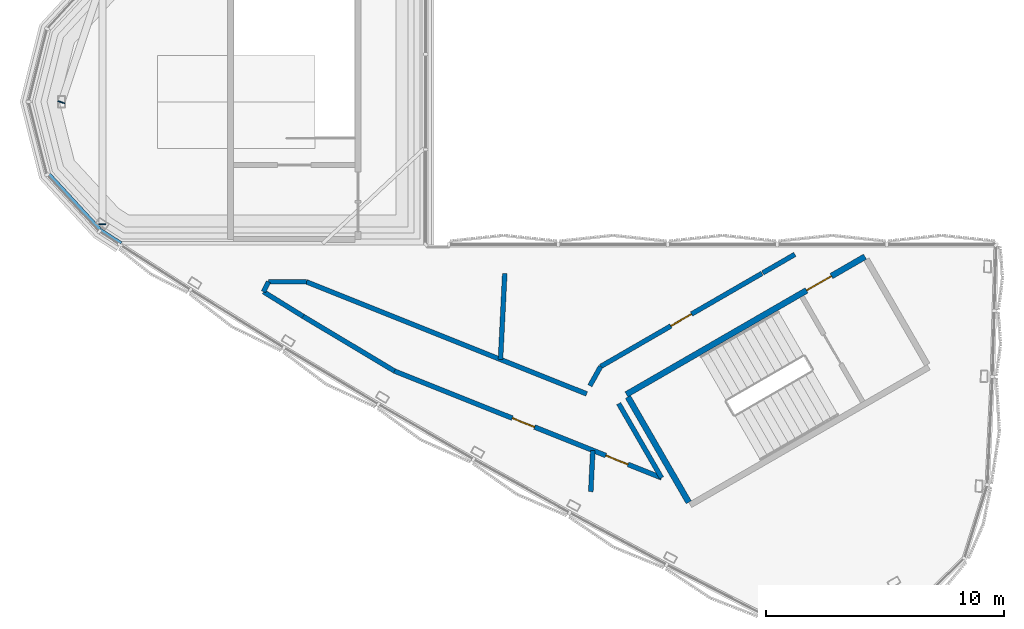
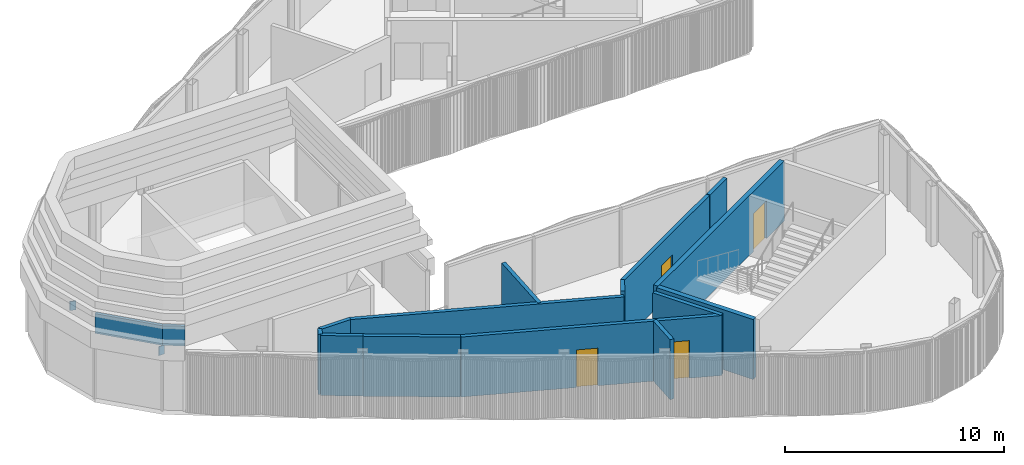
# One storey, part 6 of 16: 16 walls, 4 doors, 2 plates, 4 openings.
"""IFC4 building model written with IfcOpenShell, lengths in metres."""

import ifcopenshell
import ifcopenshell.guid

model = None  # the IFC model being written
_history = None  # IfcOwnerHistory: only IFC2X3 demands one
_inside = {}  # id of a spatial element -> (the spatial element, [elements in it])
_under = {}  # id of a project, library or spatial element -> (it, [spatial elements below it])
_declared = {}  # id of a project -> (the project, [libraries it declares])
_typed = {}  # id of a type object -> (the type object, [elements of that type])
_made_of = {}  # id of a material, layer set ... -> (it, [elements and type objects made of it])


def new_model(schema):
    """Start an empty IFC model of exactly this schema.

    Asked for "IFC4X3", IfcOpenShell would pick the latest addendum, in which some entities
    have other attributes; the version numbers below select the first issue.
    IFC2X3 requires an IfcOwnerHistory on every rooted entity: one is made here for all.
    """
    global model, _history
    if schema == "IFC4X3":
        model = ifcopenshell.file(schema_version=(4, 3, 0, 0))
    else:
        model = ifcopenshell.file(schema=schema)
    _inside.clear()
    _under.clear()
    _declared.clear()
    _typed.clear()
    _made_of.clear()
    _history = None
    if model.schema == "IFC2X3":
        org = make("IfcOrganization", Name="unknown")
        user = make(
            "IfcPersonAndOrganization",
            ThePerson=make("IfcPerson", FamilyName="unknown"),
            TheOrganization=org,
        )
        app = make(
            "IfcApplication",
            ApplicationDeveloper=org,
            Version="unknown",
            ApplicationFullName="unknown",
            ApplicationIdentifier="unknown",
        )
        _history = make(
            "IfcOwnerHistory",
            OwningUser=user,
            OwningApplication=app,
            ChangeAction="ADDED",
            CreationDate=0,
        )
    return model


def make(cls, **values):
    """One entity of the class cls with the attributes given. An attribute that is None is left unset."""
    return model.create_entity(
        cls, **{name: value for name, value in values.items() if value is not None}
    )


def rooted(cls, **values):
    """An entity with a GlobalId (a new one), such as an element, a storey or a relation."""
    return make(cls, GlobalId=ifcopenshell.guid.new(), OwnerHistory=_history, **values)


def si_unit(unit_type, name, prefix=None):
    """IfcSIUnit, for example si_unit("LENGTHUNIT", "METRE", prefix="MILLI")."""
    return make("IfcSIUnit", UnitType=unit_type, Prefix=prefix, Name=name)


def assignment(units):
    """IfcUnitAssignment: the units of a project."""
    return None if units is None else make("IfcUnitAssignment", Units=units)


def point(xyz):
    """IfcCartesianPoint."""
    return None if xyz is None else make("IfcCartesianPoint", Coordinates=xyz)


def direction(xyz):
    """IfcDirection."""
    return None if xyz is None else make("IfcDirection", DirectionRatios=xyz)


def frame(location, z_axis=None, x_axis=None):
    """IfcAxis2Placement3D, a coordinate frame: its origin and axes. An axis left out is left unset."""
    return make(
        "IfcAxis2Placement3D",
        Location=point(location),
        Axis=direction(z_axis),
        RefDirection=direction(x_axis),
    )


def frame_2d(location, x_axis=None):
    """IfcAxis2Placement2D, a coordinate frame in the plane: its origin and x axis."""
    return make(
        "IfcAxis2Placement2D", Location=point(location), RefDirection=direction(x_axis)
    )


def origin():
    """The frame at (0, 0, 0) with its axes left unset."""
    return frame((0.0, 0.0, 0.0))


def origin_2d():
    """The frame at (0, 0) in the plane with its x axis left unset."""
    return frame_2d((0.0, 0.0))


def place(relative_to, where):
    """IfcLocalPlacement: puts the frame where relative to a parent placement (None: the world)."""
    return make(
        "IfcLocalPlacement", PlacementRelTo=relative_to, RelativePlacement=where
    )


def context(
    kind, dimensions, precision=None, world=None, true_north=None, identifier=None
):
    """IfcGeometricRepresentationContext, for example the 3D "Model" context."""
    return make(
        "IfcGeometricRepresentationContext",
        ContextIdentifier=identifier,
        ContextType=kind,
        CoordinateSpaceDimension=dimensions,
        Precision=precision,
        WorldCoordinateSystem=world,
        TrueNorth=true_north,
    )


def subcontext(parent, identifier, kind, view, scale=None):
    """IfcGeometricRepresentationSubContext, for example "Body" below "Model"."""
    return make(
        "IfcGeometricRepresentationSubContext",
        ContextIdentifier=identifier,
        ContextType=kind,
        ParentContext=parent,
        TargetScale=scale,
        TargetView=view,
    )


def project(units=None, contexts=None):
    """IfcProject with its units and contexts."""
    return rooted(
        "IfcProject",
        Name="project",
        RepresentationContexts=contexts,
        UnitsInContext=assignment(units),
    )


def spatial(cls, under=None, at=None, **own):
    """A site, building, storey or space (cls), placed at a placement, below another one or the project."""
    s = rooted(cls, ObjectPlacement=at, **own)
    if under is not None:
        _under.setdefault(under.id(), (under, []))[1].append(s)
    return s


def profile(cls, at=None, kind="AREA", **sizes):
    """A parametric profile (cls). Its sizes go by their IFC names, for example OverallWidth=200.0."""
    return make(cls, ProfileType=kind, Position=at, **sizes)


def rectangle(**sizes):
    """IfcRectangleProfileDef."""
    return profile("IfcRectangleProfileDef", **sizes)


def extrude(swept, where, along, depth):
    """IfcExtrudedAreaSolid: the profile swept, set in the frame where, extruded along a direction by depth."""
    return make(
        "IfcExtrudedAreaSolid",
        SweptArea=swept,
        Position=where,
        ExtrudedDirection=direction(along),
        Depth=depth,
    )


def shape(context_of_items, identifier, shape_type, items):
    """IfcShapeRepresentation: the items that make up one representation, for example the "Body"."""
    return make(
        "IfcShapeRepresentation",
        ContextOfItems=context_of_items,
        RepresentationIdentifier=identifier,
        RepresentationType=shape_type,
        Items=items,
    )


def material(Name=None, Category=None):
    """IfcMaterial."""
    return make("IfcMaterial", Name=Name, Category=Category)


def layer(
    of_material, thickness, ventilated=None, Name=None, Category=None, Priority=None
):
    """IfcMaterialLayer: one layer of a wall or slab, of a material (None: an air gap)."""
    return make(
        "IfcMaterialLayer",
        Material=of_material,
        LayerThickness=thickness,
        IsVentilated=ventilated,
        Name=Name,
        Category=Category,
        Priority=Priority,
    )


def layer_set(layers, Name=None):
    """IfcMaterialLayerSet."""
    return make("IfcMaterialLayerSet", MaterialLayers=layers, LayerSetName=Name)


def made_of(thing, what):
    """Note that an element or type object is made of a material, layer set ...; save() writes the relation."""
    if what is not None:
        _made_of.setdefault(what.id(), (what, []))[1].append(thing)
    return thing


def type_object(cls, material=None, **own):
    """A type object (cls), such as IfcWallType, which elements share."""
    return made_of(rooted(cls, **own), material)


def element(
    cls,
    number,
    at=None,
    inside=None,
    cuts=None,
    type_object=None,
    material=None,
    context=None,
    identifier="Body",
    shape_type=None,
    held_by="IfcProductDefinitionShape",
    body=None,
    shapes=None,
    **own,
):
    """One element of the class cls, such as IfcWall. Its Tag is "e" and its number.

    at: its placement. inside: the storey or other place that contains it. cuts: it is an
    opening in that element (IfcRelVoidsElement). A single representation is given by context,
    identifier, shape_type and body (its items); several are given by shapes. held_by: the class
    of the entity that holds the representations. save() writes the other relations.
    """
    e = rooted(cls, Tag="e%d" % number, ObjectPlacement=at, **own)
    if body is not None:
        shapes = [shape(context, identifier, shape_type, body)]
    if shapes is not None:
        e.Representation = make(held_by, Representations=shapes)
    if inside is not None:
        _inside.setdefault(inside.id(), (inside, []))[1].append(e)
    if cuts is not None:
        rooted(
            "IfcRelVoidsElement", RelatingBuildingElement=cuts, RelatedOpeningElement=e
        )
    if type_object is not None:
        _typed.setdefault(type_object.id(), (type_object, []))[1].append(e)
    return made_of(e, material)


def fill(opening, filler):
    """IfcRelFillsElement: the door or window that sits in an opening."""
    return rooted(
        "IfcRelFillsElement",
        RelatingOpeningElement=opening,
        RelatedBuildingElement=filler,
    )


def aggregate(whole, parts):
    """IfcRelAggregates: a whole, such as a stair, and the parts it consists of."""
    return rooted("IfcRelAggregates", RelatingObject=whole, RelatedObjects=parts)


def save(model, path):
    """Write the relations noted so far, then the file.

    IfcRelAggregates (storeys below a building ...), IfcRelContainedInSpatialStructure (elements
    in a storey), IfcRelDefinesByType, IfcRelAssociatesMaterial and IfcRelDeclares: one each for
    every whole, place, type object, material and project.
    """
    for whole, parts in _under.values():
        aggregate(whole, parts)
    for where, things in _inside.values():
        rooted(
            "IfcRelContainedInSpatialStructure",
            RelatedElements=things,
            RelatingStructure=where,
        )
    for kind, things in _typed.values():
        rooted("IfcRelDefinesByType", RelatedObjects=things, RelatingType=kind)
    for what, things in _made_of.values():
        rooted("IfcRelAssociatesMaterial", RelatedObjects=things, RelatingMaterial=what)
    for by, libraries in _declared.values():
        rooted("IfcRelDeclares", RelatingContext=by, RelatedDefinitions=libraries)
    model.write(path)


model = new_model("IFC4")

# Units and contexts
model_context = context("Model", 3, precision=1e-05, world=origin(), true_north=direction((0.0, 1.0)))
body_context = subcontext(model_context, "Body", "Model", "MODEL_VIEW")
ifc_project = project(units=[si_unit("LENGTHUNIT", "METRE"), si_unit("AREAUNIT", "SQUARE_METRE"), si_unit("VOLUMEUNIT", "CUBIC_METRE"), si_unit("PLANEANGLEUNIT", "RADIAN"), si_unit("MASSUNIT", "GRAM", prefix="KILO")], contexts=[model_context])

# Site, building, storey
site_placement = place(None, origin())
site = spatial("IfcSite", under=ifc_project, at=site_placement, CompositionType="ELEMENT")
building_placement = place(site_placement, origin())
building = spatial("IfcBuilding", under=site, at=building_placement, Name="Tamra Quay Hotel Tower", CompositionType="ELEMENT")
storey_placement = place(building_placement, frame((0.0, 0.0, 327.800048828125)))
storey = spatial("IfcBuildingStorey", under=building, at=storey_placement, Name="Roof crown 3", CompositionType="ELEMENT", Elevation=327.800048828125)

# Plates
ifc_material_1 = material(Name="Structural steel IS 2062 E350", Category="steel")
ifc_layer_1 = layer(ifc_material_1, 0.0400390625)
ifc_layer_set_1 = layer_set([ifc_layer_1], Name="CROWN BEAM END PLATE 40")
plate_type = type_object("IfcPlateType", Name="CROWN BEAM END PLATE 40", PredefinedType="SHEET", material=ifc_layer_set_1)
for number, where, z_axis, x_axis, name in (
    (1, (-21.558837890625, -5.127197265625, 2.849853515625), (0.0, 0.0, 1.0), (0.0, 1.0, 0.0), "CF-C-EP00S"),
    (2, (-23.27978515625, -0.01904296875, 2.849853515625), (0.0, 0.0, 1.0), (-0.31824296357, -0.948009185682, 0.0), "CF-C-EP01E"),
):
    element("IfcPlate", number, at=place(storey_placement, frame(where, z_axis=z_axis, x_axis=x_axis)), inside=storey, type_object=plate_type, Name=name, PredefinedType="SHEET", context=body_context, shape_type="SweptSolid", body=[
        extrude(rectangle(XDim=0.0400390625, YDim=0.300048828125, at=origin_2d()), origin(), (0.0, 0.0, 1.0), 0.5),
    ])

# Wall, opening, door
ifc_material_2 = material(Name="Concrete M70", Category="concrete")
ifc_layer_2 = layer(ifc_material_2, 0.25)
ifc_layer_set_2 = layer_set([ifc_layer_2], Name="Concrete M70 core wall 250")
wall_type_1 = type_object("IfcWallType", Name="Concrete M70 core wall 250", PredefinedType="SHEAR", material=ifc_layer_set_2)
wall_1_placement = place(storey_placement, frame((0.417236328125, -12.27294921875, 0.0), z_axis=(0.0, 0.0, 1.0), x_axis=(0.866021906294, 0.500006057782, 0.0)))
wall_1 = element("IfcWall", 3, at=wall_1_placement, inside=storey, type_object=wall_type_1, Name="CW1", PredefinedType="SHEAR", context=body_context, shape_type="SweptSolid", body=[
    extrude(rectangle(XDim=11.550048828125, YDim=0.25, at=frame_2d((5.77490234375, 0.0))), origin(), (0.0, 0.0, 1.0), 3.349853515625),
])
opening_1_placement = place(wall_1_placement, frame((8.725341796875, 0.0, 0.0)))
opening_1 = element("IfcOpeningElement", 4, at=opening_1_placement, cuts=wall_1, Name="Opening FD1", PredefinedType="OPENING", context=body_context, shape_type="SweptSolid", body=[
    extrude(rectangle(XDim=1.199951171875, YDim=2.10009765625, at=frame_2d((0.60009765625, 1.050048828125))), frame((0.0, 0.135009765625, 0.0), z_axis=(0.0, -1.0, 0.0), x_axis=(1.0, 0.0, 0.0)), (0.0, 0.0, 1.0), 0.27001953125),
])
ifc_material_3 = material(Name="Core door FD1 1200x2100 LH")
door_type_1 = type_object("IfcDoorType", Name="Core door FD1 1200x2100 LH", OperationType="NOTDEFINED", PredefinedType="DOOR", material=ifc_material_3)
door_1_placement = place(opening_1_placement, origin())
door_1 = element("IfcDoor", 5, at=door_1_placement, inside=storey, type_object=door_type_1, Name="FD1", OperationType="SINGLE_SWING_LEFT", OverallHeight=2.10009765625, OverallWidth=1.199951171875, PredefinedType="DOOR", context=body_context, shape_type="SweptSolid", body=[
    extrude(rectangle(XDim=1.199951171875, YDim=2.10009765625, at=frame_2d((0.60009765625, 1.050048828125))), frame((0.0, 0.02490234375, 0.0), z_axis=(0.0, -1.0, 0.0), x_axis=(1.0, 0.0, 0.0)), (0.0, 0.0, 1.0), 0.050048828125),
])
fill(opening_1, door_1)

# Walls
wall_2_placement = place(storey_placement, frame((3.029541015625, -16.797607421875, 0.0), z_axis=(0.0, 0.0, 1.0), x_axis=(-0.499975258871, 0.866039687611, 0.0)))
element("IfcWall", 6, at=wall_2_placement, inside=storey, type_object=wall_type_1, Name="CW1", PredefinedType="SHEAR", context=body_context, shape_type="SweptSolid", body=[
    extrude(rectangle(XDim=5.099365234375, YDim=0.25, at=frame_2d((2.5498046875, 0.0))), origin(), (0.0, 0.0, 1.0), 3.349853515625),
])
ifc_material_4 = material(Name="Reinforced concrete M60 with render", Category="concrete")
ifc_layer_3 = layer(ifc_material_4, 0.14990234375)
ifc_layer_set_3 = layer_set([ifc_layer_3], Name="PARAPET WALL 150")
wall_type_2 = type_object("IfcWallType", Name="PARAPET WALL 150", PredefinedType="PARAPET", material=ifc_layer_set_3)
wall_3_placement = place(storey_placement, frame((-20.775146484375, -5.936767578125, 3.599853515625), z_axis=(0.0, 0.0, 1.0), x_axis=(-0.841690048982, 0.539960981409, 0.0)))
element("IfcWall", 7, at=wall_3_placement, inside=storey, type_object=wall_type_2, Name="PW0", PredefinedType="PARAPET", context=body_context, shape_type="SweptSolid", body=[
    extrude(rectangle(XDim=1.0380859375, YDim=0.14990234375, at=frame_2d((0.51904296875, 0.0))), origin(), (0.0, 0.0, 1.0), 1.10009765625),
])
wall_4_placement = place(storey_placement, frame((-21.634033203125, -5.388671875, 3.599853515625), z_axis=(0.0, 0.0, 1.0), x_axis=(-0.677395111538, 0.735619373633, 0.0)))
element("IfcWall", 8, at=wall_4_placement, inside=storey, type_object=wall_type_2, Name="PW0", PredefinedType="PARAPET", context=body_context, shape_type="SweptSolid", body=[
    extrude(rectangle(XDim=3.23291015625, YDim=0.14990234375, at=frame_2d((1.616455078125, 0.0))), origin(), (0.0, 0.0, 1.0), 1.10009765625),
])
ifc_material_5 = material(Name="Partition corridor wall")
ifc_layer_4 = layer(ifc_material_5, 0.199951171875)
ifc_layer_set_4 = layer_set([ifc_layer_4], Name="Partition corridor wall")
wall_type_3 = type_object("IfcWallType", Name="Partition corridor wall", PredefinedType="PARTITIONING", material=ifc_layer_set_4)
wall_5_placement = place(storey_placement, frame((-14.802001953125, -7.968994140625, 0.0), z_axis=(0.0, 0.0, 1.0), x_axis=(0.443876206707, 0.896088116827, 0.0)))
element("IfcWall", 9, at=wall_5_placement, inside=storey, type_object=wall_type_3, Name="W-C", PredefinedType="PARTITIONING", context=body_context, shape_type="SweptSolid", body=[
    extrude(rectangle(XDim=0.468505859375, YDim=0.199951171875, at=frame_2d((0.234375, 0.0))), origin(), (0.0, 0.0, 1.0), 3.349853515625),
])
wall_6_placement = place(storey_placement, frame((-14.802001953125, -7.968994140625, 0.0), z_axis=(0.0, 0.0, 1.0), x_axis=(0.849923964999, -0.526905355563, 0.0)))
element("IfcWall", 10, at=wall_6_placement, inside=storey, type_object=wall_type_3, Name="W-C", PredefinedType="PARTITIONING", context=body_context, shape_type="SweptSolid", body=[
    extrude(rectangle(XDim=1.953125, YDim=0.199951171875, at=frame_2d((0.9765625, 0.0))), origin(), (0.0, 0.0, 1.0), 3.349853515625),
])
wall_7_placement = place(storey_placement, frame((-14.593994140625, -7.549072265625, 0.0), z_axis=(0.0, 0.0, 1.0), x_axis=(1.0, 0.0, 0.0)))
element("IfcWall", 11, at=wall_7_placement, inside=storey, type_object=wall_type_3, Name="W-C", PredefinedType="PARTITIONING", context=body_context, shape_type="SweptSolid", body=[
    extrude(rectangle(XDim=1.591064453125, YDim=0.199951171875, at=frame_2d((0.79541015625, 0.0))), origin(), (0.0, 0.0, 1.0), 3.349853515625),
])
wall_8_placement = place(storey_placement, frame((-13.14208984375, -8.998046875, 0.0), z_axis=(0.0, 0.0, 1.0), x_axis=(0.858090798123, -0.513497986536, 0.0)))
element("IfcWall", 12, at=wall_8_placement, inside=storey, type_object=wall_type_3, Name="W-C", PredefinedType="PARTITIONING", context=body_context, shape_type="SweptSolid", body=[
    extrude(rectangle(XDim=4.46337890625, YDim=0.199951171875, at=frame_2d((2.231689453125, 0.0))), origin(), (0.0, 0.0, 1.0), 3.349853515625),
])
wall_9_placement = place(storey_placement, frame((-13.00341796875, -7.550048828125, 0.0), z_axis=(0.0, 0.0, 1.0), x_axis=(0.928493984159, -0.371347440251, 0.0)))
element("IfcWall", 13, at=wall_9_placement, inside=storey, type_object=wall_type_3, Name="W-C", PredefinedType="PARTITIONING", context=body_context, shape_type="SweptSolid", body=[
    extrude(rectangle(XDim=12.656494140625, YDim=0.199951171875, at=frame_2d((6.328125, 0.0))), origin(), (0.0, 0.0, 1.0), 3.349853515625),
])

# Wall, openings, doors
wall_10_placement = place(storey_placement, frame((-9.312255859375, -11.290771484375, 0.0), z_axis=(0.0, 0.0, 1.0), x_axis=(0.928494832129, -0.371345320033, 0.0)))
wall_10 = element("IfcWall", 14, at=wall_10_placement, inside=storey, type_object=wall_type_3, Name="W-C", PredefinedType="PARTITIONING", context=body_context, shape_type="SweptSolid", body=[
    extrude(rectangle(XDim=12.06494140625, YDim=0.199951171875, at=frame_2d((6.032470703125, 0.0))), origin(), (0.0, 0.0, 1.0), 3.349853515625),
])
opening_2_placement = place(wall_10_placement, frame((9.548583984375, 0.0, 0.0)))
opening_2 = element("IfcOpeningElement", 15, at=opening_2_placement, cuts=wall_10, Name="Opening Roof crown 3-D004", PredefinedType="OPENING", context=body_context, shape_type="SweptSolid", body=[
    extrude(rectangle(XDim=1.0, YDim=2.10009765625, at=frame_2d((0.5, 1.050048828125))), frame((0.0, 0.10986328125, 0.0), z_axis=(0.0, -1.0, 0.0), x_axis=(1.0, 0.0, 0.0)), (0.0, 0.0, 1.0), 0.219970703125),
])
opening_3_placement = place(wall_10_placement, frame((5.32470703125, 0.0, 0.0)))
opening_3 = element("IfcOpeningElement", 16, at=opening_3_placement, cuts=wall_10, Name="Opening Roof crown 3-D006", PredefinedType="OPENING", context=body_context, shape_type="SweptSolid", body=[
    extrude(rectangle(XDim=1.0, YDim=2.10009765625, at=frame_2d((0.5, 1.050048828125))), frame((0.0, 0.10986328125, 0.0), z_axis=(0.0, -1.0, 0.0), x_axis=(1.0, 0.0, 0.0)), (0.0, 0.0, 1.0), 0.219970703125),
])
ifc_material_6 = material(Name="Door service room 1000x2100")
door_type_2 = type_object("IfcDoorType", Name="Door service room 1000x2100", OperationType="NOTDEFINED", PredefinedType="DOOR", material=ifc_material_6)
door_2_placement = place(opening_2_placement, frame((1.0, 0.0, 0.0), z_axis=(0.0, 0.0, 1.0), x_axis=(-1.0, 0.0, 0.0)))
door_2 = element("IfcDoor", 17, at=door_2_placement, inside=storey, type_object=door_type_2, Name="Roof crown 3-D004", OperationType="SINGLE_SWING_LEFT", OverallHeight=2.10009765625, OverallWidth=1.0, PredefinedType="DOOR", context=body_context, shape_type="SweptSolid", body=[
    extrude(rectangle(XDim=1.0, YDim=2.10009765625, at=frame_2d((0.5, 1.050048828125))), frame((0.0, 0.02490234375, 0.0), z_axis=(0.0, -1.0, 0.0), x_axis=(1.0, 0.0, 0.0)), (0.0, 0.0, 1.0), 0.050048828125),
])
fill(opening_2, door_2)
door_3_placement = place(opening_3_placement, frame((1.0, 0.0, 0.0), z_axis=(0.0, 0.0, 1.0), x_axis=(-1.0, 0.0, 0.0)))
door_3 = element("IfcDoor", 18, at=door_3_placement, inside=storey, type_object=door_type_2, Name="Roof crown 3-D006", OperationType="SINGLE_SWING_LEFT", OverallHeight=2.10009765625, OverallWidth=1.0, PredefinedType="DOOR", context=body_context, shape_type="SweptSolid", body=[
    extrude(rectangle(XDim=1.0, YDim=2.10009765625, at=frame_2d((0.5, 1.050048828125))), frame((0.0, 0.02490234375, 0.0), z_axis=(0.0, -1.0, 0.0), x_axis=(1.0, 0.0, 0.0)), (0.0, 0.0, 1.0), 0.050048828125),
])
fill(opening_3, door_3)

# Wall
wall_11_placement = place(storey_placement, frame((-1.115966796875, -11.909912109375, 0.0), z_axis=(0.0, 0.0, 1.0), x_axis=(0.488193721835, 0.872735292033, 0.0)))
element("IfcWall", 19, at=wall_11_placement, inside=storey, type_object=wall_type_3, Name="W-C", PredefinedType="PARTITIONING", context=body_context, shape_type="SweptSolid", body=[
    extrude(rectangle(XDim=0.92578125, YDim=0.199951171875, at=frame_2d((0.462890625, 0.0))), origin(), (0.0, 0.0, 1.0), 3.349853515625),
])

# Wall, opening, door
wall_12_placement = place(storey_placement, frame((-0.6640625, -11.10205078125, 0.0), z_axis=(0.0, 0.0, 1.0), x_axis=(0.866039839502, 0.499974995771, 0.0)))
wall_12 = element("IfcWall", 20, at=wall_12_placement, inside=storey, type_object=wall_type_3, Name="W-C", PredefinedType="PARTITIONING", context=body_context, shape_type="SweptSolid", body=[
    extrude(rectangle(XDim=7.810546875, YDim=0.199951171875, at=frame_2d((3.9052734375, 0.0))), origin(), (0.0, 0.0, 1.0), 3.349853515625),
])
opening_4_placement = place(wall_12_placement, frame((3.3994140625, 0.0, 0.0)))
opening_4 = element("IfcOpeningElement", 21, at=opening_4_placement, cuts=wall_12, Name="Opening Roof crown 3-D005", PredefinedType="OPENING", context=body_context, shape_type="SweptSolid", body=[
    extrude(rectangle(XDim=1.0, YDim=2.10009765625, at=frame_2d((0.5, 1.050048828125))), frame((0.0, 0.10986328125, 0.0), z_axis=(0.0, -1.0, 0.0), x_axis=(1.0, 0.0, 0.0)), (0.0, 0.0, 1.0), 0.219970703125),
])
door_4_placement = place(opening_4_placement, origin())
door_4 = element("IfcDoor", 22, at=door_4_placement, inside=storey, type_object=door_type_2, Name="Roof crown 3-D005", OperationType="SINGLE_SWING_LEFT", OverallHeight=2.10009765625, OverallWidth=1.0, PredefinedType="DOOR", context=body_context, shape_type="SweptSolid", body=[
    extrude(rectangle(XDim=1.0, YDim=2.10009765625, at=frame_2d((0.5, 1.050048828125))), frame((0.0, 0.02490234375, 0.0), z_axis=(0.0, -1.0, 0.0), x_axis=(1.0, 0.0, 0.0)), (0.0, 0.0, 1.0), 0.050048828125),
])
fill(opening_4, door_4)

# Walls
wall_13_placement = place(storey_placement, frame((0.092041015625, -12.657958984375, 0.0), z_axis=(0.0, 0.0, 1.0), x_axis=(0.500112394635, -0.865960502986, 0.0)))
element("IfcWall", 23, at=wall_13_placement, inside=storey, type_object=wall_type_3, Name="W-C", PredefinedType="PARTITIONING", context=body_context, shape_type="SweptSolid", body=[
    extrude(rectangle(XDim=3.594970703125, YDim=0.199951171875, at=frame_2d((1.79736328125, 0.0))), origin(), (0.0, 0.0, 1.0), 3.349853515625),
])
wall_14_placement = place(storey_placement, frame((6.133056640625, -7.177978515625, 0.0), z_axis=(0.0, 0.0, 1.0), x_axis=(0.866031301401, 0.499989784889, 0.0)))
element("IfcWall", 24, at=wall_14_placement, inside=storey, type_object=wall_type_3, Name="W-C", PredefinedType="PARTITIONING", context=body_context, shape_type="SweptSolid", body=[
    extrude(rectangle(XDim=1.5546875, YDim=0.199951171875, at=frame_2d((0.77734375, 0.0))), origin(), (0.0, 0.0, 1.0), 3.349853515625),
])
ifc_material_7 = material(Name="Partition party wall")
ifc_layer_5 = layer(ifc_material_7, 0.199951171875)
ifc_layer_set_5 = layer_set([ifc_layer_5], Name="Partition party wall")
wall_type_4 = type_object("IfcWallType", Name="Partition party wall", PredefinedType="PARTITIONING", material=ifc_layer_set_5)
wall_15_placement = place(storey_placement, frame((-4.863037109375, -10.802001953125, 0.0), z_axis=(0.0, 0.0, 1.0), x_axis=(0.049079996395, 0.998794850785, 0.0)))
element("IfcWall", 25, at=wall_15_placement, inside=storey, type_object=wall_type_4, Name="W-P", PredefinedType="PARTITIONING", context=body_context, shape_type="SweptSolid", body=[
    extrude(rectangle(XDim=3.6064453125, YDim=0.199951171875, at=frame_2d((1.80322265625, 0.0))), origin(), (0.0, 0.0, 1.0), 3.349853515625),
])
wall_16_placement = place(storey_placement, frame((-1.077880859375, -16.35302734375, 0.0), z_axis=(0.0, 0.0, 1.0), x_axis=(0.048996621456, 0.998798944276, 0.0)))
element("IfcWall", 26, at=wall_16_placement, inside=storey, type_object=wall_type_4, Name="W-P", PredefinedType="PARTITIONING", context=body_context, shape_type="SweptSolid", body=[
    extrude(rectangle(XDim=1.734130859375, YDim=0.199951171875, at=frame_2d((0.8671875, 0.0))), origin(), (0.0, 0.0, 1.0), 3.349853515625),
])

save(model, "model.ifc")
